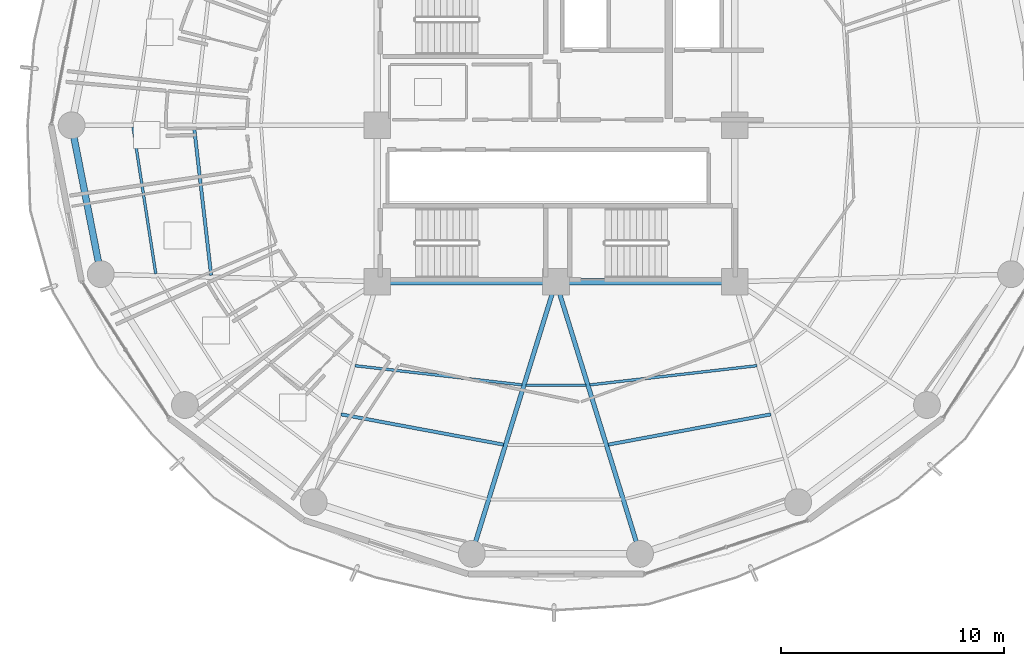
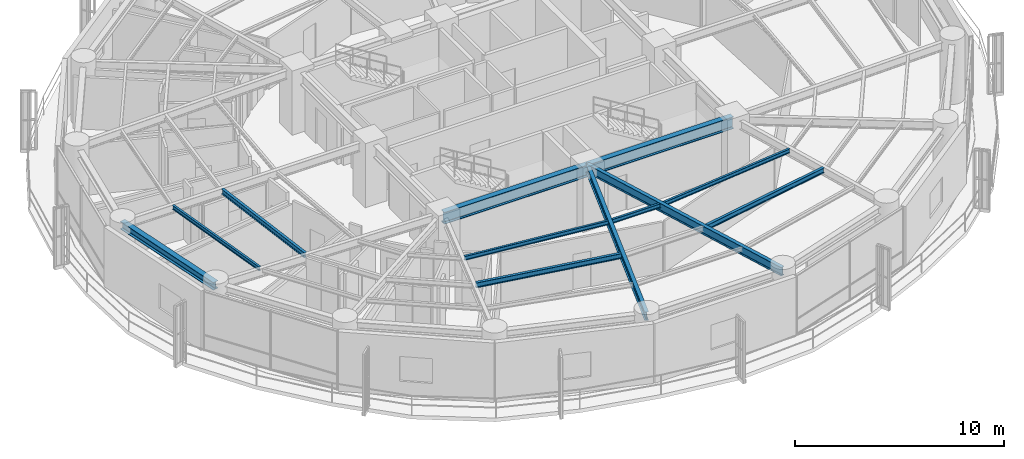
# One storey, part 5 of 28: 12 beams.
"""IFC4 building model written with IfcOpenShell, lengths in metres."""

from ifc_helpers import new_model, si_unit, direction, frame, origin, origin_2d, place, context, subcontext, project, spatial, i_section, extrude, material, material_profile, profile_set, type_object, element, save


model = new_model("IFC4")

# Units and contexts
model_context = context("Model", 3, precision=1e-05, world=origin(), true_north=direction((0.0, 1.0)))
body_context = subcontext(model_context, "Body", "Model", "MODEL_VIEW")
ifc_project = project(units=[si_unit("LENGTHUNIT", "METRE"), si_unit("AREAUNIT", "SQUARE_METRE"), si_unit("VOLUMEUNIT", "CUBIC_METRE"), si_unit("PLANEANGLEUNIT", "RADIAN"), si_unit("MASSUNIT", "GRAM", prefix="KILO")], contexts=[model_context])

# Site, building, storey
site_placement = place(None, origin())
site = spatial("IfcSite", under=ifc_project, at=site_placement, CompositionType="ELEMENT")
building_placement = place(site_placement, origin())
building = spatial("IfcBuilding", under=site, at=building_placement, Name="Kelanora Arch Commons", CompositionType="ELEMENT")
storey_placement = place(building_placement, frame((0.0, 0.0, 176.85009765625)))
storey = spatial("IfcBuildingStorey", under=building, at=storey_placement, Name="L45", CompositionType="ELEMENT", Elevation=176.85009765625)

# Beams
ifc_material = material(Name="Steel S355", Category="steel")
ifc_material_profile_1 = material_profile(ifc_material, i_section(OverallWidth=0.300048828125, OverallDepth=0.699951171875, WebThickness=0.01708984375, FlangeThickness=0.031982421875, FilletRadius=0.027099609375, at=origin_2d()), Name="HEB700")
ifc_profile_set_1 = profile_set([ifc_material_profile_1], Name="Steel S355")
beam_type_1 = type_object("IfcBeamType", Name="BM-CORE-HDR", PredefinedType="BEAM", material=ifc_profile_set_1)
for number, where, z_axis, x_axis, name in (
    (1, (66.0, 51.0, 3.139892578125), (1.0, 0.0, 0.0), (0.0, 1.0, 0.0), "Core Header Beam 01 L45"),
    (2, (74.0, 51.0, 3.139892578125), (1.0, 0.0, 0.0), (0.0, 1.0, 0.0), "Core Header Beam 02 L45"),
):
    element("IfcBeam", number, at=place(storey_placement, frame(where, z_axis=z_axis, x_axis=x_axis)), inside=storey, type_object=beam_type_1, Name=name, PredefinedType="BEAM", context=body_context, shape_type="SweptSolid", body=[
        extrude(i_section(OverallWidth=0.300048828125, OverallDepth=0.699951171875, WebThickness=0.01708984375, FlangeThickness=0.031982421875, FilletRadius=0.027099609375, at=origin_2d()), origin(), (0.0, 0.0, 1.0), 8.0),
    ])
ifc_material_profile_2 = material_profile(ifc_material, i_section(OverallWidth=0.14990234375, OverallDepth=0.300048828125, WebThickness=0.007080078125, FlangeThickness=0.0107421875, FilletRadius=0.014892578125, at=origin_2d()), Name="IPE300")
ifc_profile_set_2 = profile_set([ifc_material_profile_2], Name="Steel S355")
beam_type_2 = type_object("IfcBeamType", Name="BM-JST-01", PredefinedType="JOIST", material=ifc_profile_set_2)
beam_1_placement = place(storey_placement, frame((57.8017578125, 57.91552734375, 3.33984375), z_axis=(0.114667159005, -0.9934039675, 0.0), x_axis=(0.9934039675, 0.114667159005, 0.0)))
element("IfcBeam", 3, at=beam_1_placement, inside=storey, type_object=beam_type_2, Name="Secondary Chord Joist BJB-18 L45", PredefinedType="JOIST", context=body_context, shape_type="SweptSolid", body=[
    extrude(i_section(OverallWidth=0.14990234375, OverallDepth=0.300048828125, WebThickness=0.007080078125, FlangeThickness=0.0107421875, FilletRadius=0.014892578125, at=origin_2d()), origin(), (0.0, 0.0, 1.0), 6.672607421875),
])
for number, where, z_axis, x_axis, name in (
    (4, (64.379638671875, 45.062255859375, 3.33984375), (0.983054256126, -0.183314837134, 0.0), (0.183314837134, 0.983054256126, 0.0), "Secondary Chord Joist BJB-24 L45"),
    (5, (76.34228515625, 43.705078125, 3.33984375), (0.983054256126, 0.183314837134, 0.0), (-0.183314837134, 0.983054256126, 0.0), "Secondary Chord Joist BJB-28 L45"),
):
    element("IfcBeam", number, at=place(storey_placement, frame(where, z_axis=z_axis, x_axis=x_axis)), inside=storey, type_object=beam_type_2, Name=name, PredefinedType="JOIST", context=body_context, shape_type="SweptSolid", body=[
        extrude(i_section(OverallWidth=0.14990234375, OverallDepth=0.300048828125, WebThickness=0.007080078125, FlangeThickness=0.0107421875, FilletRadius=0.014892578125, at=origin_2d()), origin(), (0.0, 0.0, 1.0), 7.403564453125),
    ])
ifc_material_profile_3 = material_profile(ifc_material, i_section(OverallWidth=0.1201171875, OverallDepth=0.239990234375, WebThickness=0.006103515625, FlangeThickness=0.009765625, FilletRadius=0.014892578125, at=origin_2d()), Name="IPE240")
ifc_profile_set_3 = profile_set([ifc_material_profile_3], Name="Steel S355")
beam_type_3 = type_object("IfcBeamType", Name="BM-JST-02", PredefinedType="JOIST", material=ifc_profile_set_3)
beam_2_placement = place(storey_placement, frame((55.069091796875, 57.916015625, 3.369873046875), z_axis=(0.153562625853, -0.988138917329, 0.0), x_axis=(0.988138917329, 0.153562625853, 0.0)))
element("IfcBeam", 6, at=beam_2_placement, inside=storey, type_object=beam_type_3, Name="Secondary Chord Joist BJC-18 L45", PredefinedType="JOIST", context=body_context, shape_type="SweptSolid", body=[
    extrude(i_section(OverallWidth=0.1201171875, OverallDepth=0.239990234375, WebThickness=0.006103515625, FlangeThickness=0.009765625, FilletRadius=0.014892578125, at=origin_2d()), origin(), (0.0, 0.0, 1.0), 6.640869140625),
])
beam_3_placement = place(storey_placement, frame((65.005126953125, 47.239501953125, 3.369873046875), z_axis=(0.993457414184, -0.114203179475, 0.0), x_axis=(0.114203179475, 0.993457414184, 0.0)))
element("IfcBeam", 7, at=beam_3_placement, inside=storey, type_object=beam_type_3, Name="Secondary Chord Joist BJA-24 L45", PredefinedType="JOIST", context=body_context, shape_type="SweptSolid", body=[
    extrude(i_section(OverallWidth=0.1201171875, OverallDepth=0.239990234375, WebThickness=0.006103515625, FlangeThickness=0.009765625, FilletRadius=0.014892578125, at=origin_2d()), origin(), (0.0, 0.0, 1.0), 7.529296875),
])
beam_4_placement = place(storey_placement, frame((72.654296875, 46.3701171875, 3.369873046875), z_axis=(1.0, 0.0, 0.0), x_axis=(0.0, 1.0, 0.0)))
element("IfcBeam", 8, at=beam_4_placement, inside=storey, type_object=beam_type_3, Name="Secondary Chord Joist BJA-26 L45", PredefinedType="JOIST", context=body_context, shape_type="SweptSolid", body=[
    extrude(i_section(OverallWidth=0.1201171875, OverallDepth=0.239990234375, WebThickness=0.006103515625, FlangeThickness=0.009765625, FilletRadius=0.014892578125, at=origin_2d()), origin(), (0.0, 0.0, 1.0), 2.69140625),
])
beam_5_placement = place(storey_placement, frame((75.514892578125, 46.379638671875, 3.369873046875), z_axis=(0.993457414184, 0.114203179475, 0.0), x_axis=(-0.114203179475, 0.993457414184, 0.0)))
element("IfcBeam", 9, at=beam_5_placement, inside=storey, type_object=beam_type_3, Name="Secondary Chord Joist BJA-28 L45", PredefinedType="JOIST", context=body_context, shape_type="SweptSolid", body=[
    extrude(i_section(OverallWidth=0.1201171875, OverallDepth=0.239990234375, WebThickness=0.006103515625, FlangeThickness=0.009765625, FilletRadius=0.014892578125, at=origin_2d()), origin(), (0.0, 0.0, 1.0), 7.529296875),
])
ifc_material_profile_4 = material_profile(ifc_material, i_section(OverallWidth=0.199951171875, OverallDepth=0.5, WebThickness=0.01025390625, FlangeThickness=0.01611328125, FilletRadius=0.02099609375, at=origin_2d()), Name="IPE500")
ifc_profile_set_4 = profile_set([ifc_material_profile_4], Name="Steel S355")
beam_type_4 = type_object("IfcBeamType", Name="BM-RAD-Z3", PredefinedType="BEAM", material=ifc_profile_set_4)
for number, where, z_axis, x_axis, name in (
    (10, (74.0, 51.0, 3.239990234375), (-0.295210315095, -0.955432294755, 0.0), (0.955432294755, -0.295210315095, 0.0), "Radial Floor Girder BR-26 L45"),
    (11, (74.0, 51.0, 3.239990234375), (0.295210315095, -0.955432294755, 0.0), (0.955432294755, 0.295210315095, 0.0), "Radial Floor Girder BR-28 L45"),
):
    element("IfcBeam", number, at=place(storey_placement, frame(where, z_axis=z_axis, x_axis=x_axis)), inside=storey, type_object=beam_type_4, Name=name, PredefinedType="BEAM", context=body_context, shape_type="SweptSolid", body=[
        extrude(i_section(OverallWidth=0.199951171875, OverallDepth=0.5, WebThickness=0.01025390625, FlangeThickness=0.01611328125, FilletRadius=0.02099609375, at=origin_2d()), origin(), (0.0, 0.0, 1.0), 12.75244140625),
    ])
ifc_material_profile_5 = material_profile(ifc_material, i_section(OverallWidth=0.300048828125, OverallDepth=0.449951171875, WebThickness=0.013916015625, FlangeThickness=0.02587890625, FilletRadius=0.027099609375, at=origin_2d()), Name="HEB450")
ifc_profile_set_5 = profile_set([ifc_material_profile_5], Name="Steel S355")
beam_type_5 = type_object("IfcBeamType", Name="BM-SPN-Z3", PredefinedType="SPANDREL", material=ifc_profile_set_5)
beam_6_placement = place(storey_placement, frame((52.320068359375, 58.0, 3.264892578125), z_axis=(0.192553643556, -0.981286448675, 0.0), x_axis=(0.981286448675, 0.192553643556, 0.0)))
element("IfcBeam", 12, at=beam_6_placement, inside=storey, type_object=beam_type_5, Name="Perimeter Spandrel Beam BS-18 L45", PredefinedType="SPANDREL", context=body_context, shape_type="SweptSolid", body=[
    extrude(i_section(OverallWidth=0.300048828125, OverallDepth=0.449951171875, WebThickness=0.013916015625, FlangeThickness=0.02587890625, FilletRadius=0.027099609375, at=origin_2d()), origin(), (0.0, 0.0, 1.0), 6.78955078125),
])

save(model, "model.ifc")
